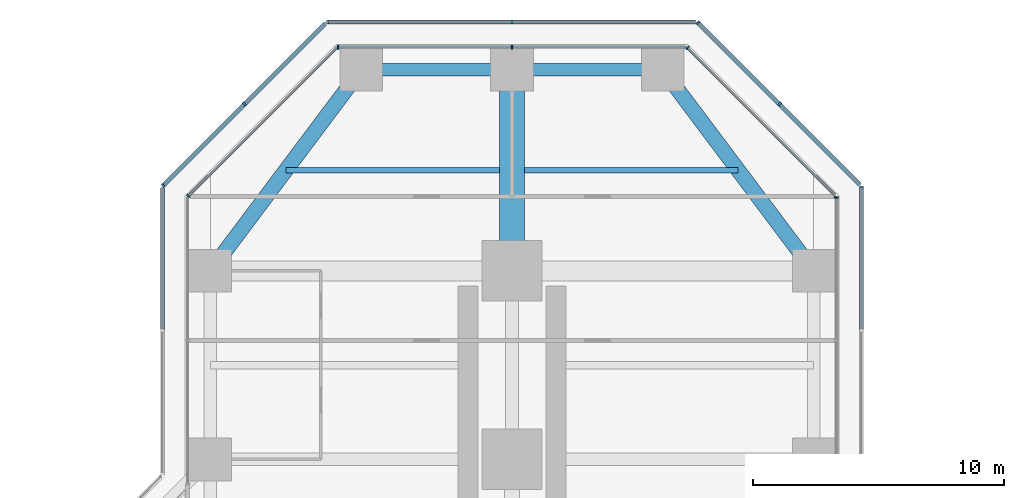
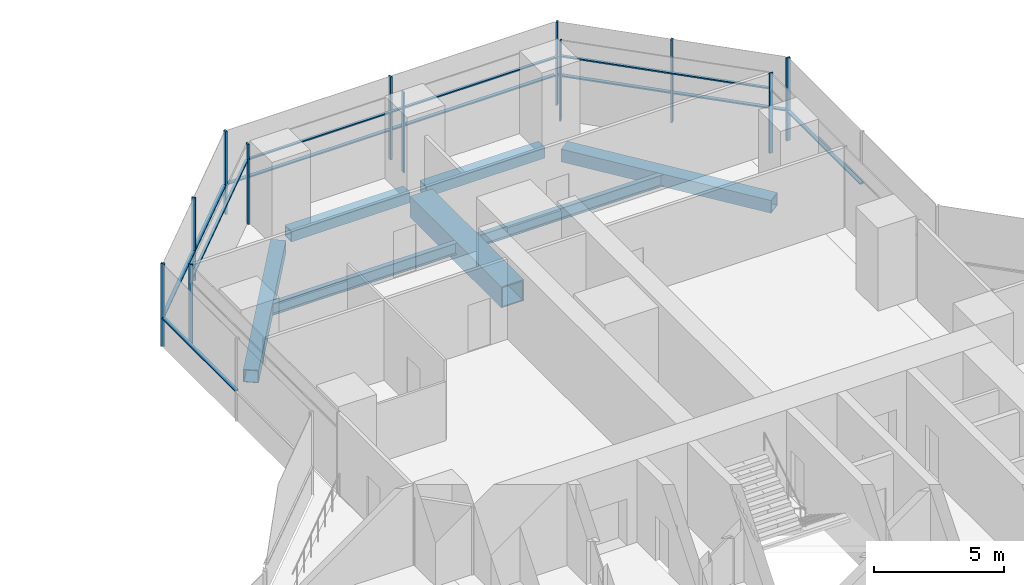
# One storey, part 13 of 22: 24 members, 7 beams, 9 elements without a shape of their own.
"""IFC4 building model written with IfcOpenShell, lengths in metres."""

from ifc_helpers import new_model, si_unit, direction, frame, origin, origin_2d, place, context, subcontext, project, spatial, rectangle, hollow_rectangle, i_section, extrude, material, material_profile, profile_set, type_object, element, aggregate, save


model = new_model("IFC4")

# Units and contexts
model_context = context("Model", 3, precision=1e-05, world=origin(), true_north=direction((0.0, 1.0)))
body_context = subcontext(model_context, "Body", "Model", "MODEL_VIEW")
ifc_project = project(units=[si_unit("LENGTHUNIT", "METRE"), si_unit("AREAUNIT", "SQUARE_METRE"), si_unit("VOLUMEUNIT", "CUBIC_METRE"), si_unit("PLANEANGLEUNIT", "RADIAN"), si_unit("MASSUNIT", "GRAM", prefix="KILO")], contexts=[model_context])

# Site, building, storey
site_placement = place(None, origin())
site = spatial("IfcSite", under=ifc_project, at=site_placement, CompositionType="ELEMENT")
building_placement = place(site_placement, origin())
building = spatial("IfcBuilding", under=site, at=building_placement, Name="Mizan Broadcast Tower", CompositionType="ELEMENT")
storey_placement = place(building_placement, frame((0.0, 0.0, 102.0)))
storey = spatial("IfcBuildingStorey", under=building, at=storey_placement, Name="L22", CompositionType="ELEMENT", Elevation=102.0)

# Beams
ifc_material_1 = material(Name="Steel S355", Category="steel")
ifc_material_profile_1 = material_profile(ifc_material_1, hollow_rectangle(XDim=0.5, YDim=0.5, WallThickness=0.030029296875, at=origin_2d()), Name="BOX 500x500x30")
ifc_profile_set_1 = profile_set([ifc_material_profile_1], Name="Steel S355")
beam_type_1 = type_object("IfcBeamType", Name="EDGE BEAM BOX 500x500x30", PredefinedType="SPANDREL", material=ifc_profile_set_1)
for number, where, z_axis, x_axis, name in (
    (1, (5.639892578125, 35.0, -0.3798828125), (-1.0, 0.0, 0.0), (0.0, -1.0, 0.0), "Edge beam BOX 500x500x30 L22 north arm"),
    (2, (-5.639892578125, 35.0, -0.3798828125), (1.0, 0.0, 0.0), (0.0, 1.0, 0.0), "Edge beam BOX 500x500x30 L22 north arm"),
):
    element("IfcBeam", number, at=place(storey_placement, frame(where, z_axis=z_axis, x_axis=x_axis)), inside=storey, type_object=beam_type_1, Name=name, PredefinedType="SPANDREL", context=body_context, shape_type="SweptSolid", body=[
        extrude(hollow_rectangle(XDim=0.5, YDim=0.5, WallThickness=0.030029296875, at=origin_2d()), origin(), (0.0, 0.0, 1.0), 5.27978515625),
    ])
ifc_material_2 = material(Name="Steel S355", Category="steel")
ifc_material_profile_2 = material_profile(ifc_material_2, hollow_rectangle(XDim=0.60009765625, YDim=0.60009765625, WallThickness=0.030029296875, at=origin_2d()), Name="BOX 600x600x30")
ifc_profile_set_2 = profile_set([ifc_material_profile_2], Name="Steel S355")
beam_type_2 = type_object("IfcBeamType", Name="EDGE BEAM BOX 600x600x30", PredefinedType="SPANDREL", material=ifc_profile_set_2)
for number, where, z_axis, x_axis, name in (
    (3, (11.639892578125, 27.47998046875, -0.429931640625), (-0.599982243973, 0.800013316712, 0.0), (-0.800013316712, -0.599982243973, 0.0), "Edge beam BOX 600x600x30 L22 north arm"),
    (4, (-11.639892578125, 27.47998046875, -0.429931640625), (0.599982243973, 0.800013316712, 0.0), (-0.800013316712, 0.599982243973, 0.0), "Edge beam BOX 600x600x30 L22 north arm"),
):
    element("IfcBeam", number, at=place(storey_placement, frame(where, z_axis=z_axis, x_axis=x_axis)), inside=storey, type_object=beam_type_2, Name=name, PredefinedType="SPANDREL", context=body_context, shape_type="SweptSolid", body=[
        extrude(hollow_rectangle(XDim=0.60009765625, YDim=0.60009765625, WallThickness=0.030029296875, at=origin_2d()), origin(), (0.0, 0.0, 1.0), 8.7998046875),
    ])
ifc_material_3 = material(Name="Steel S460", Category="steel")
ifc_material_profile_3 = material_profile(ifc_material_3, hollow_rectangle(XDim=1.0, YDim=1.0, WallThickness=0.06005859375, at=origin_2d()), Name="BOX 1000x1000x60")
ifc_profile_set_3 = profile_set([ifc_material_profile_3], Name="Steel S460")
beam_type_3 = type_object("IfcBeamType", Name="GIRDER BOX 1000x1000x60", PredefinedType="BEAM", material=ifc_profile_set_3)
beam_placement = place(storey_placement, frame((0.0, 27.47998046875, -0.6298828125), z_axis=(0.0, 1.0, 0.0), x_axis=(-1.0, 0.0, 0.0)))
element("IfcBeam", 5, at=beam_placement, inside=storey, type_object=beam_type_3, Name="Girder BOX 1000x1000x60 L22 north arm", PredefinedType="BEAM", context=body_context, shape_type="SweptSolid", body=[
    extrude(hollow_rectangle(XDim=1.0, YDim=1.0, WallThickness=0.06005859375, at=origin_2d()), origin(), (0.0, 0.0, 1.0), 7.0400390625),
])

# Curtain wall, member
ifc_material_4 = material(Name="Aluminium framed glazing", Category="aluminium")
curtain_wall_type_1 = type_object("IfcCurtainWallType", Name="INNER SKIN LOW ZONE", PredefinedType="USERDEFINED", material=ifc_material_4)
curtain_wall_1_placement = place(storey_placement, origin())
curtain_wall_1 = element("IfcCurtainWall", 6, at=curtain_wall_1_placement, inside=storey, type_object=curtain_wall_type_1, Name="Inner skin low zone L22 N side", ObjectType="INNER SKIN LOW ZONE", PredefinedType="USERDEFINED")
ifc_material_5 = material(Name="Aluminium, pale anodised", Category="aluminium")
ifc_material_profile_4 = material_profile(ifc_material_5, rectangle(XDim=0.159912109375, YDim=0.06005859375, at=origin_2d()), Name="MULLION 160x60")
ifc_profile_set_4 = profile_set([ifc_material_profile_4], Name="Aluminium, pale anodised")
member_type_1 = type_object("IfcMemberType", Name="INNER SKIN MULLION 60x160", PredefinedType="MULLION", material=ifc_profile_set_4)
member_1_placement = place(storey_placement, frame((12.89990234375, 29.928466796875, 0.0), z_axis=(0.0, 0.0, 1.0), x_axis=(-1.0, 0.0, 0.0)))
member_1 = element("IfcMember", 7, at=member_1_placement, type_object=member_type_1, Name="Inner skin low zone L22 N side mullion 3", PredefinedType="MULLION", context=body_context, shape_type="SweptSolid", body=[
    extrude(rectangle(XDim=0.159912109375, YDim=0.06005859375, at=origin_2d()), origin(), (0.0, 0.0, 1.0), 3.77001953125),
])
aggregate(curtain_wall_1, [member_1])

curtain_wall_2_placement = place(storey_placement, origin())
curtain_wall_2 = element("IfcCurtainWall", 8, at=curtain_wall_2_placement, inside=storey, type_object=curtain_wall_type_1, Name="Inner skin low zone L22 N chamfer", ObjectType="INNER SKIN LOW ZONE", PredefinedType="USERDEFINED")
member_2_placement = place(storey_placement, frame((6.979736328125, 35.87890625, 0.0), z_axis=(0.0, 0.0, 1.0), x_axis=(-0.707106781187, -0.707106781187, 0.0)))
member_2 = element("IfcMember", 9, at=member_2_placement, type_object=member_type_1, Name="Inner skin low zone L22 N chamfer mullion 2", PredefinedType="MULLION", context=body_context, shape_type="SweptSolid", body=[
    extrude(rectangle(XDim=0.159912109375, YDim=0.06005859375, at=origin_2d()), origin(), (0.0, 0.0, 1.0), 3.77001953125),
])

# Curtain wall, members
curtain_wall_3_placement = place(storey_placement, origin())
curtain_wall_3 = element("IfcCurtainWall", 10, at=curtain_wall_3_placement, inside=storey, type_object=curtain_wall_type_1, Name="Inner skin low zone L22 N end", ObjectType="INNER SKIN LOW ZONE", PredefinedType="USERDEFINED")
member_3_placement = place(storey_placement, frame((0.0, 35.89990234375, 0.0), z_axis=(0.0, 0.0, 1.0), x_axis=(0.0, -1.0, 0.0)))
member_3 = element("IfcMember", 11, at=member_3_placement, type_object=member_type_1, Name="Inner skin low zone L22 N end mullion 2", PredefinedType="MULLION", context=body_context, shape_type="SweptSolid", body=[
    extrude(rectangle(XDim=0.159912109375, YDim=0.06005859375, at=origin_2d()), origin(), (0.0, 0.0, 1.0), 3.77001953125),
])
member_4_placement = place(storey_placement, frame((-6.928466796875, 35.89990234375, 0.0), z_axis=(0.0, 0.0, 1.0), x_axis=(0.0, -1.0, 0.0)))
member_4 = element("IfcMember", 12, at=member_4_placement, type_object=member_type_1, Name="Inner skin low zone L22 N end mullion 3", PredefinedType="MULLION", context=body_context, shape_type="SweptSolid", body=[
    extrude(rectangle(XDim=0.159912109375, YDim=0.06005859375, at=origin_2d()), origin(), (0.0, 0.0, 1.0), 3.77001953125),
])

# Curtain wall, member
curtain_wall_4_placement = place(storey_placement, origin())
curtain_wall_4 = element("IfcCurtainWall", 13, at=curtain_wall_4_placement, inside=storey, type_object=curtain_wall_type_1, Name="Inner skin low zone L22 N chamfer", ObjectType="INNER SKIN LOW ZONE", PredefinedType="USERDEFINED")
member_5_placement = place(storey_placement, frame((-12.87890625, 29.979736328125, 0.0), z_axis=(0.0, 0.0, 1.0), x_axis=(0.707106781187, -0.707106781187, 0.0)))
member_5 = element("IfcMember", 14, at=member_5_placement, type_object=member_type_1, Name="Inner skin low zone L22 N chamfer mullion 2", PredefinedType="MULLION", context=body_context, shape_type="SweptSolid", body=[
    extrude(rectangle(XDim=0.159912109375, YDim=0.06005859375, at=origin_2d()), origin(), (0.0, 0.0, 1.0), 3.77001953125),
])

# Member
ifc_material_6 = material(Name="Aluminium, pale anodised", Category="aluminium")
ifc_material_profile_5 = material_profile(ifc_material_6, rectangle(XDim=0.1201171875, YDim=0.06005859375, at=origin_2d()), Name="TRANSOM 120x60")
ifc_profile_set_5 = profile_set([ifc_material_profile_5], Name="Aluminium, pale anodised")
member_type_2 = type_object("IfcMemberType", Name="INNER SKIN TRANSOM 60x120", PredefinedType="USERDEFINED", material=ifc_profile_set_5)
member_6_placement = place(storey_placement, frame((12.857666015625, 30.0009765625, 3.030029296875), z_axis=(-0.707106781187, 0.707106781187, 0.0), x_axis=(-0.707106781187, -0.707106781187, 0.0)))
member_6 = element("IfcMember", 15, at=member_6_placement, type_object=member_type_2, Name="Inner skin low zone L22 N chamfer transom 1.1", ObjectType="TRANSOM", PredefinedType="USERDEFINED", context=body_context, shape_type="SweptSolid", body=[
    extrude(rectangle(XDim=0.1201171875, YDim=0.06005859375, at=origin_2d()), origin(), (0.0, 0.0, 1.0), 8.28271484375),
])

aggregate(curtain_wall_2, [member_2, member_6])

member_7_placement = place(storey_placement, frame((6.898681640625, 35.89990234375, 3.030029296875), z_axis=(-1.0, 0.0, 0.0), x_axis=(0.0, -1.0, 0.0)))
member_7 = element("IfcMember", 16, at=member_7_placement, type_object=member_type_2, Name="Inner skin low zone L22 N end transom 1.1", ObjectType="TRANSOM", PredefinedType="USERDEFINED", context=body_context, shape_type="SweptSolid", body=[
    extrude(rectangle(XDim=0.1201171875, YDim=0.06005859375, at=origin_2d()), origin(), (0.0, 0.0, 1.0), 6.86865234375),
])

member_8_placement = place(storey_placement, frame((-0.030029296875, 35.89990234375, 3.030029296875), z_axis=(-1.0, 0.0, 0.0), x_axis=(0.0, -1.0, 0.0)))
member_8 = element("IfcMember", 17, at=member_8_placement, type_object=member_type_2, Name="Inner skin low zone L22 N end transom 2.1", ObjectType="TRANSOM", PredefinedType="USERDEFINED", context=body_context, shape_type="SweptSolid", body=[
    extrude(rectangle(XDim=0.1201171875, YDim=0.06005859375, at=origin_2d()), origin(), (0.0, 0.0, 1.0), 6.86865234375),
])

aggregate(curtain_wall_3, [member_3, member_4, member_7, member_8])

member_9_placement = place(storey_placement, frame((-7.0009765625, 35.857666015625, 3.030029296875), z_axis=(-0.707106781187, -0.707106781187, 0.0), x_axis=(0.707106781187, -0.707106781187, 0.0)))
member_9 = element("IfcMember", 18, at=member_9_placement, type_object=member_type_2, Name="Inner skin low zone L22 N chamfer transom 1.1", ObjectType="TRANSOM", PredefinedType="USERDEFINED", context=body_context, shape_type="SweptSolid", body=[
    extrude(rectangle(XDim=0.1201171875, YDim=0.06005859375, at=origin_2d()), origin(), (0.0, 0.0, 1.0), 8.28271484375),
])

aggregate(curtain_wall_4, [member_5, member_9])

# Curtain wall, member
ifc_material_7 = material(Name="Aluminium framed glazing", Category="aluminium")
curtain_wall_type_2 = type_object("IfcCurtainWallType", Name="OUTER SKIN", PredefinedType="USERDEFINED", material=ifc_material_7)
curtain_wall_5_placement = place(storey_placement, origin())
curtain_wall_5 = element("IfcCurtainWall", 19, at=curtain_wall_5_placement, inside=storey, type_object=curtain_wall_type_2, Name="Outer skin L22 N side", ObjectType="OUTER SKIN", PredefinedType="USERDEFINED")
ifc_material_8 = material(Name="Aluminium, pale anodised", Category="aluminium")
ifc_material_profile_6 = material_profile(ifc_material_8, rectangle(XDim=0.159912109375, YDim=0.080078125, at=origin_2d()), Name="MULLION 160x80")
ifc_profile_set_6 = profile_set([ifc_material_profile_6], Name="Aluminium, pale anodised")
member_type_3 = type_object("IfcMemberType", Name="OUTER SKIN MULLION 80x160", PredefinedType="MULLION", material=ifc_profile_set_6)
member_10_placement = place(storey_placement, frame((13.89990234375, 30.332763671875, 0.0), z_axis=(0.0, 0.0, 1.0), x_axis=(-1.0, 0.0, 0.0)))
member_10 = element("IfcMember", 20, at=member_10_placement, type_object=member_type_3, Name="Outer skin L22 N side mullion 3", PredefinedType="MULLION", context=body_context, shape_type="SweptSolid", body=[
    extrude(rectangle(XDim=0.159912109375, YDim=0.080078125, at=origin_2d()), origin(), (0.0, 0.0, 1.0), 3.89990234375),
])

# Curtain wall, members
curtain_wall_6_placement = place(storey_placement, origin())
curtain_wall_6 = element("IfcCurtainWall", 21, at=curtain_wall_6_placement, inside=storey, type_object=curtain_wall_type_2, Name="Outer skin L22 N chamfer", ObjectType="OUTER SKIN", PredefinedType="USERDEFINED")
member_11_placement = place(storey_placement, frame((10.636474609375, 33.636474609375, 0.0), z_axis=(0.0, 0.0, 1.0), x_axis=(-0.707106781187, -0.707106781187, 0.0)))
member_11 = element("IfcMember", 22, at=member_11_placement, type_object=member_type_3, Name="Outer skin L22 N chamfer mullion 2", PredefinedType="MULLION", context=body_context, shape_type="SweptSolid", body=[
    extrude(rectangle(XDim=0.159912109375, YDim=0.080078125, at=origin_2d()), origin(), (0.0, 0.0, 1.0), 3.89990234375),
])
member_12_placement = place(storey_placement, frame((7.401123046875, 36.871826171875, 0.0), z_axis=(0.0, 0.0, 1.0), x_axis=(-0.707106781187, -0.707106781187, 0.0)))
member_12 = element("IfcMember", 23, at=member_12_placement, type_object=member_type_3, Name="Outer skin L22 N chamfer mullion 3", PredefinedType="MULLION", context=body_context, shape_type="SweptSolid", body=[
    extrude(rectangle(XDim=0.159912109375, YDim=0.080078125, at=origin_2d()), origin(), (0.0, 0.0, 1.0), 3.89990234375),
])

curtain_wall_7_placement = place(storey_placement, origin())
curtain_wall_7 = element("IfcCurtainWall", 24, at=curtain_wall_7_placement, inside=storey, type_object=curtain_wall_type_2, Name="Outer skin L22 N end", ObjectType="OUTER SKIN", PredefinedType="USERDEFINED")
member_13_placement = place(storey_placement, frame((0.0, 36.89990234375, 0.0), z_axis=(0.0, 0.0, 1.0), x_axis=(0.0, -1.0, 0.0)))
member_13 = element("IfcMember", 25, at=member_13_placement, type_object=member_type_3, Name="Outer skin L22 N end mullion 2", PredefinedType="MULLION", context=body_context, shape_type="SweptSolid", body=[
    extrude(rectangle(XDim=0.159912109375, YDim=0.080078125, at=origin_2d()), origin(), (0.0, 0.0, 1.0), 3.89990234375),
])
member_14_placement = place(storey_placement, frame((-7.332763671875, 36.89990234375, 0.0), z_axis=(0.0, 0.0, 1.0), x_axis=(0.0, -1.0, 0.0)))
member_14 = element("IfcMember", 26, at=member_14_placement, type_object=member_type_3, Name="Outer skin L22 N end mullion 3", PredefinedType="MULLION", context=body_context, shape_type="SweptSolid", body=[
    extrude(rectangle(XDim=0.159912109375, YDim=0.080078125, at=origin_2d()), origin(), (0.0, 0.0, 1.0), 3.89990234375),
])

curtain_wall_8_placement = place(storey_placement, origin())
curtain_wall_8 = element("IfcCurtainWall", 27, at=curtain_wall_8_placement, inside=storey, type_object=curtain_wall_type_2, Name="Outer skin L22 N chamfer", ObjectType="OUTER SKIN", PredefinedType="USERDEFINED")
member_15_placement = place(storey_placement, frame((-10.636474609375, 33.636474609375, 0.0), z_axis=(0.0, 0.0, 1.0), x_axis=(0.707106781187, -0.707106781187, 0.0)))
member_15 = element("IfcMember", 28, at=member_15_placement, type_object=member_type_3, Name="Outer skin L22 N chamfer mullion 2", PredefinedType="MULLION", context=body_context, shape_type="SweptSolid", body=[
    extrude(rectangle(XDim=0.159912109375, YDim=0.080078125, at=origin_2d()), origin(), (0.0, 0.0, 1.0), 3.89990234375),
])
member_16_placement = place(storey_placement, frame((-13.871826171875, 30.401123046875, 0.0), z_axis=(0.0, 0.0, 1.0), x_axis=(0.707106781187, -0.707106781187, 0.0)))
member_16 = element("IfcMember", 29, at=member_16_placement, type_object=member_type_3, Name="Outer skin L22 N chamfer mullion 3", PredefinedType="MULLION", context=body_context, shape_type="SweptSolid", body=[
    extrude(rectangle(XDim=0.159912109375, YDim=0.080078125, at=origin_2d()), origin(), (0.0, 0.0, 1.0), 3.89990234375),
])

# Member
ifc_material_9 = material(Name="Aluminium, pale anodised", Category="aluminium")
ifc_material_profile_7 = material_profile(ifc_material_9, rectangle(XDim=0.159912109375, YDim=0.06005859375, at=origin_2d()), Name="TRANSOM 160x60")
ifc_profile_set_7 = profile_set([ifc_material_profile_7], Name="Aluminium, pale anodised")
member_type_4 = type_object("IfcMemberType", Name="OUTER SKIN TRANSOM 60x160", PredefinedType="USERDEFINED", material=ifc_profile_set_7)
member_17_placement = place(storey_placement, frame((13.89990234375, 24.662841796875, 1.39990234375), z_axis=(0.0, 1.0, 0.0), x_axis=(-1.0, 0.0, 0.0)))
member_17 = element("IfcMember", 30, at=member_17_placement, type_object=member_type_4, Name="Outer skin L22 N side transom 2.1", ObjectType="TRANSOM", PredefinedType="USERDEFINED", context=body_context, shape_type="SweptSolid", body=[
    extrude(rectangle(XDim=0.159912109375, YDim=0.06005859375, at=origin_2d()), origin(), (0.0, 0.0, 1.0), 5.6298828125),
])

aggregate(curtain_wall_5, [member_10, member_17])

member_18_placement = place(storey_placement, frame((13.843505859375, 30.429443359375, 1.39990234375), z_axis=(-0.707106781187, 0.707106781187, 0.0), x_axis=(-0.707106781187, -0.707106781187, 0.0)))
member_18 = element("IfcMember", 31, at=member_18_placement, type_object=member_type_4, Name="Outer skin L22 N chamfer transom 1.1", ObjectType="TRANSOM", PredefinedType="USERDEFINED", context=body_context, shape_type="SweptSolid", body=[
    extrude(rectangle(XDim=0.159912109375, YDim=0.06005859375, at=origin_2d()), origin(), (0.0, 0.0, 1.0), 4.495361328125),
])

member_19_placement = place(storey_placement, frame((10.608154296875, 33.664794921875, 1.39990234375), z_axis=(-0.707106781187, 0.707106781187, 0.0), x_axis=(-0.707106781187, -0.707106781187, 0.0)))
member_19 = element("IfcMember", 32, at=member_19_placement, type_object=member_type_4, Name="Outer skin L22 N chamfer transom 2.1", ObjectType="TRANSOM", PredefinedType="USERDEFINED", context=body_context, shape_type="SweptSolid", body=[
    extrude(rectangle(XDim=0.159912109375, YDim=0.06005859375, at=origin_2d()), origin(), (0.0, 0.0, 1.0), 4.495361328125),
])

aggregate(curtain_wall_6, [member_11, member_12, member_18, member_19])

member_20_placement = place(storey_placement, frame((7.292724609375, 36.89990234375, 1.39990234375), z_axis=(-1.0, 0.0, 0.0), x_axis=(0.0, -1.0, 0.0)))
member_20 = element("IfcMember", 33, at=member_20_placement, type_object=member_type_4, Name="Outer skin L22 N end transom 1.1", ObjectType="TRANSOM", PredefinedType="USERDEFINED", context=body_context, shape_type="SweptSolid", body=[
    extrude(rectangle(XDim=0.159912109375, YDim=0.06005859375, at=origin_2d()), origin(), (0.0, 0.0, 1.0), 7.252685546875),
])

member_21_placement = place(storey_placement, frame((-0.0400390625, 36.89990234375, 1.39990234375), z_axis=(-1.0, 0.0, 0.0), x_axis=(0.0, -1.0, 0.0)))
member_21 = element("IfcMember", 34, at=member_21_placement, type_object=member_type_4, Name="Outer skin L22 N end transom 2.1", ObjectType="TRANSOM", PredefinedType="USERDEFINED", context=body_context, shape_type="SweptSolid", body=[
    extrude(rectangle(XDim=0.159912109375, YDim=0.06005859375, at=origin_2d()), origin(), (0.0, 0.0, 1.0), 7.252685546875),
])

aggregate(curtain_wall_7, [member_13, member_14, member_20, member_21])

member_22_placement = place(storey_placement, frame((-7.429443359375, 36.843505859375, 1.39990234375), z_axis=(-0.707106781187, -0.707106781187, 0.0), x_axis=(0.707106781187, -0.707106781187, 0.0)))
member_22 = element("IfcMember", 35, at=member_22_placement, type_object=member_type_4, Name="Outer skin L22 N chamfer transom 1.1", ObjectType="TRANSOM", PredefinedType="USERDEFINED", context=body_context, shape_type="SweptSolid", body=[
    extrude(rectangle(XDim=0.159912109375, YDim=0.06005859375, at=origin_2d()), origin(), (0.0, 0.0, 1.0), 4.495361328125),
])

member_23_placement = place(storey_placement, frame((-10.664794921875, 33.608154296875, 1.39990234375), z_axis=(-0.707106781187, -0.707106781187, 0.0), x_axis=(0.707106781187, -0.707106781187, 0.0)))
member_23 = element("IfcMember", 36, at=member_23_placement, type_object=member_type_4, Name="Outer skin L22 N chamfer transom 2.1", ObjectType="TRANSOM", PredefinedType="USERDEFINED", context=body_context, shape_type="SweptSolid", body=[
    extrude(rectangle(XDim=0.159912109375, YDim=0.06005859375, at=origin_2d()), origin(), (0.0, 0.0, 1.0), 4.495361328125),
])

aggregate(curtain_wall_8, [member_15, member_16, member_22, member_23])

# Curtain wall, member
curtain_wall_9_placement = place(storey_placement, origin())
curtain_wall_9 = element("IfcCurtainWall", 37, at=curtain_wall_9_placement, inside=storey, type_object=curtain_wall_type_2, Name="Outer skin L22 N side", ObjectType="OUTER SKIN", PredefinedType="USERDEFINED")
member_24_placement = place(storey_placement, frame((-13.89990234375, 30.292724609375, 1.39990234375), z_axis=(0.0, -1.0, 0.0), x_axis=(1.0, 0.0, 0.0)))
member_24 = element("IfcMember", 38, at=member_24_placement, type_object=member_type_4, Name="Outer skin L22 N side transom 1.1", ObjectType="TRANSOM", PredefinedType="USERDEFINED", context=body_context, shape_type="SweptSolid", body=[
    extrude(rectangle(XDim=0.159912109375, YDim=0.06005859375, at=origin_2d()), origin(), (0.0, 0.0, 1.0), 5.6298828125),
])
aggregate(curtain_wall_9, [member_24])

# Beams
ifc_material_10 = material(Name="Steel S355", Category="steel")
ifc_material_profile_8 = material_profile(ifc_material_10, i_section(OverallWidth=0.2099609375, OverallDepth=0.550048828125, WebThickness=0.010986328125, FlangeThickness=0.01708984375, FilletRadius=0.02392578125, at=origin_2d()), Name="IPE 550")
ifc_profile_set_8 = profile_set([ifc_material_profile_8], Name="Steel S355")
beam_type_4 = type_object("IfcBeamType", Name="SECONDARY BEAM IPE 550", PredefinedType="JOIST", material=ifc_profile_set_8)
for number, where, z_axis, x_axis, name in (
    (39, (9.0, 31.0, -0.405029296875), (-1.0, 0.0, 0.0), (0.0, -1.0, 0.0), "Secondary beam IPE 550 L22 north arm"),
    (40, (-9.0, 31.0, -0.405029296875), (1.0, 0.0, 0.0), (0.0, 1.0, 0.0), "Secondary beam IPE 550 L22 north arm"),
):
    element("IfcBeam", number, at=place(storey_placement, frame(where, z_axis=z_axis, x_axis=x_axis)), inside=storey, type_object=beam_type_4, Name=name, PredefinedType="JOIST", context=body_context, shape_type="SweptSolid", body=[
        extrude(i_section(OverallWidth=0.2099609375, OverallDepth=0.550048828125, WebThickness=0.010986328125, FlangeThickness=0.01708984375, FilletRadius=0.02392578125, at=origin_2d()), origin(), (0.0, 0.0, 1.0), 8.5),
    ])

save(model, "model.ifc")
